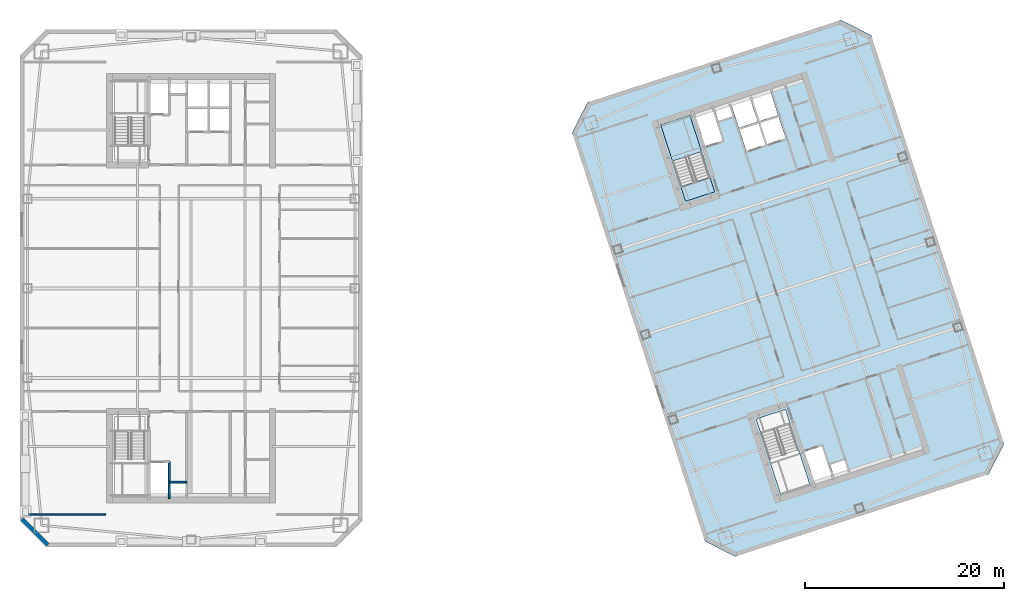
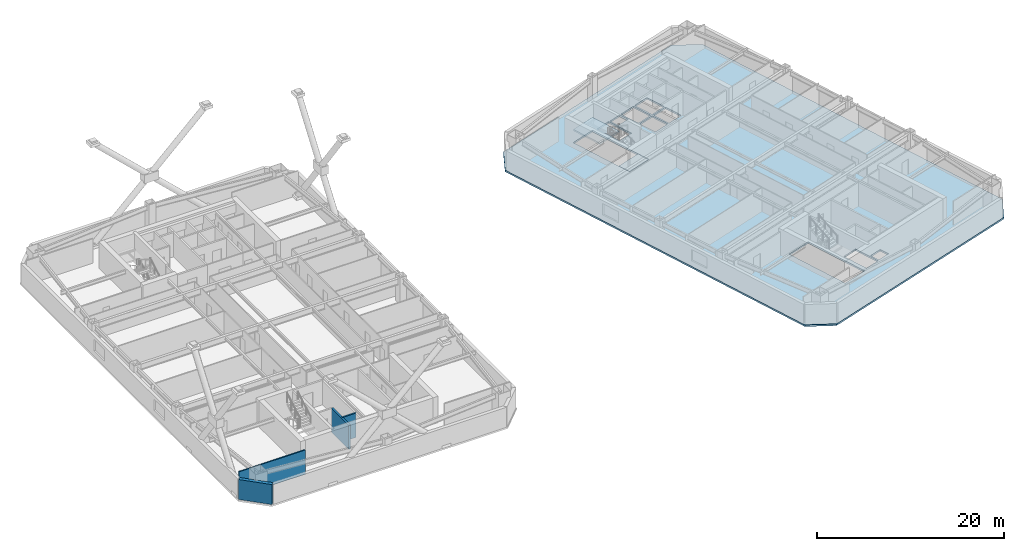
# One storey, part 5 of 14: 4 walls, 3 slabs, 1 element without a shape of its own.
"""IFC4 building model written with IfcOpenShell, lengths in metres."""

from ifc_helpers import new_model, si_unit, direction, frame, frame_2d, origin, place, context, subcontext, project, spatial, polyline, rectangle, outline, extrude, material, layer, layer_set, type_object, element, aggregate, save


model = new_model("IFC4")

# Units and contexts
model_context = context("Model", 3, precision=1e-05, world=origin(), true_north=direction((0.0, 1.0)))
body_context = subcontext(model_context, "Body", "Model", "MODEL_VIEW")
ifc_project = project(units=[si_unit("LENGTHUNIT", "METRE"), si_unit("AREAUNIT", "SQUARE_METRE"), si_unit("VOLUMEUNIT", "CUBIC_METRE"), si_unit("PLANEANGLEUNIT", "RADIAN"), si_unit("MASSUNIT", "GRAM", prefix="KILO")], contexts=[model_context])

# Site, building, storey
site_placement = place(None, origin())
site = spatial("IfcSite", under=ifc_project, at=site_placement, CompositionType="ELEMENT")
building_placement = place(site_placement, origin())
building = spatial("IfcBuilding", under=site, at=building_placement, Name="Qiaolan Cultural Towers", CompositionType="ELEMENT")
storey_placement = place(building_placement, frame((0.0, 0.0, 159.85009765625)))
storey = spatial("IfcBuildingStorey", under=building, at=storey_placement, Name="L42", CompositionType="ELEMENT", Elevation=159.85009765625)

# Stair, slab
ifc_material_1 = material(Name="Concrete C45", Category="concrete")
stair_type = type_object("IfcStairType", Name="STR-CORE-1500", PredefinedType="HALF_TURN_STAIR", material=ifc_material_1)
stair_placement = place(storey_placement, origin())
stair = element("IfcStair", 1, at=stair_placement, inside=storey, type_object=stair_type, Name="L42 Smokeproof Exit Stair ST-E2", PredefinedType="HALF_TURN_STAIR")
ifc_material_2 = material(Name="Concrete C45", Category="concrete")
ifc_layer_1 = layer(ifc_material_2, 0.199951171875)
ifc_layer_set_1 = layer_set([ifc_layer_1], Name="Concrete C45")
slab_type_1 = type_object("IfcSlabType", Name="SL-STAIR-LAND", PredefinedType="LANDING", material=ifc_layer_set_1)
slab_1_placement = place(storey_placement, frame((0.0, 0.0, 1.52490234375)))
slab_1 = element("IfcSlab", 2, at=slab_1_placement, type_object=slab_type_1, Name="ST-E2 landing 1", PredefinedType="LANDING", context=body_context, shape_type="SweptSolid", body=[
    extrude(outline(polyline([(81.31005859375, 47.735595703125), (80.1201171875, 51.3984375), (77.190673828125, 50.44677734375), (78.380859375, 46.783935546875), (81.31005859375, 47.735595703125)])), origin(), (0.0, 0.0, 1.0), 0.199951171875),
])
aggregate(stair, [slab_1])

# Slabs
ifc_material_3 = material(Name="Concrete C40", Category="concrete")
ifc_layer_2 = layer(ifc_material_3, 0.360107421875)
ifc_layer_set_2 = layer_set([ifc_layer_2], Name="Concrete C40")
slab_type_2 = type_object("IfcSlabType", Name="SL-STFLR-360", PredefinedType="LANDING", material=ifc_layer_set_2)
slab_2_placement = place(storey_placement, frame((0.0, 0.0, -0.360107421875)))
element("IfcSlab", 3, at=slab_2_placement, inside=storey, type_object=slab_type_2, Name="L42 ST-E2 Stair Floor Landing Slab", PredefinedType="LANDING", context=body_context, shape_type="SweptSolid", body=[
    extrude(outline(polyline([(82.62060546875, 43.6962890625), (82.141845703125, 45.169677734375), (79.21630859375, 44.21923828125), (79.695068359375, 42.74560546875), (82.62060546875, 43.6962890625)])), origin(), (0.0, 0.0, 1.0), 0.360107421875),
])
ifc_material_4 = material(Name="Concrete C45", Category="concrete")
ifc_layer_3 = layer(ifc_material_4, 0.219970703125)
ifc_layer_set_3 = layer_set([ifc_layer_3], Name="Concrete C45")
slab_type_3 = type_object("IfcSlabType", Name="SL-TYP-220", PredefinedType="FLOOR", material=ifc_layer_set_3)
slab_3_placement = place(storey_placement, frame((0.0, 0.0, -0.22021484375)))
element("IfcSlab", 4, at=slab_3_placement, inside=storey, type_object=slab_type_3, Name="L42 East Tower Floor Slab", PredefinedType="FLOOR", context=body_context, shape_type="SweptSolid", body=[
    extrude(outline(polyline([(84.67236328125, 7.033935546875), (110.16064453125, 15.3154296875), (111.701416015625, 18.339599609375), (98.351806640625, 59.42529296875), (95.32763671875, 60.966064453125), (69.83935546875, 52.6845703125), (68.298583984375, 49.660400390625), (81.648193359375, 8.57470703125), (84.67236328125, 7.033935546875)]), holes=[polyline([(86.80126953125, 20.868896484375), (89.30419921875, 13.165283203125), (92.2333984375, 14.116943359375), (89.73046875, 21.820556640625), (86.80126953125, 20.868896484375)]), polyline([(82.623046875, 43.69482421875), (80.1201171875, 51.3984375), (77.190673828125, 50.44677734375), (79.69384765625, 42.7431640625), (82.623046875, 43.69482421875)]), polyline([(92.666259765625, 14.468017578125), (94.42578125, 15.03955078125), (93.42138671875, 18.130615234375), (91.661865234375, 17.558837890625), (92.666259765625, 14.468017578125)]), polyline([(94.5908203125, 15.14599609375), (96.027099609375, 15.612548828125), (95.66552734375, 16.725341796875), (94.2294921875, 16.258544921875), (94.5908203125, 15.14599609375)]), polyline([(81.6806640625, 48.278076171875), (83.440185546875, 48.849609375), (82.435791015625, 51.940673828125), (80.67626953125, 51.368896484375), (81.6806640625, 48.278076171875)]), polyline([(82.993408203125, 50.839111328125), (84.4296875, 51.3056640625), (84.068115234375, 52.41845703125), (82.632080078125, 51.95166015625), (82.993408203125, 50.839111328125)]), polyline([(85.810302734375, 47.80078125), (87.71240234375, 48.418701171875), (87.013916015625, 50.568115234375), (85.11181640625, 49.9501953125), (85.810302734375, 47.80078125)]), polyline([(87.902587890625, 48.480712890625), (89.74755859375, 49.080078125), (89.04931640625, 51.2294921875), (87.2041015625, 50.6298828125), (87.902587890625, 48.480712890625)]), polyline([(85.05322265625, 50.130859375), (86.936279296875, 50.74267578125), (86.169921875, 53.101318359375), (84.286865234375, 52.489501953125), (85.05322265625, 50.130859375)]), polyline([(87.1455078125, 50.810791015625), (88.990478515625, 51.41015625), (88.22412109375, 53.768798828125), (86.379150390625, 53.169189453125), (87.1455078125, 50.810791015625)])]), origin(), (0.0, 0.0, 1.0), 0.22021484375),
])

# Walls
ifc_material_5 = material(Name="Precast Concrete C50 Honed Stone Pier", Category="masonry")
ifc_layer_4 = layer(ifc_material_5, 0.39990234375)
ifc_layer_set_4 = layer_set([ifc_layer_4], Name="Precast Concrete C50 Honed Stone Pier")
wall_type_1 = type_object("IfcWallType", Name="WL-EXT-PIER-400", PredefinedType="SOLIDWALL", material=ifc_layer_set_4)
wall_1_placement = place(storey_placement, frame((15.60009765625, 8.199951171875, 0.0), z_axis=(0.0, 0.0, 1.0), x_axis=(-0.707106781187, 0.707106781187, 0.0)))
element("IfcWall", 5, at=wall_1_placement, inside=storey, type_object=wall_type_1, Name="L42 West Tower Precast Pier Facade Wall F8", PredefinedType="SOLIDWALL", context=body_context, shape_type="SweptSolid", body=[
    extrude(rectangle(XDim=3.677001953125, YDim=0.39990234375, at=frame_2d((1.83837890625, 0.0))), origin(), (0.0, 0.0, 1.0), 2.60986328125),
])
ifc_material_6 = material(Name="Concrete C35 Fire Wall", Category="concrete")
ifc_layer_5 = layer(ifc_material_6, 0.199951171875)
ifc_layer_set_5 = layer_set([ifc_layer_5], Name="Concrete C35 Fire Wall")
wall_type_2 = type_object("IfcWallType", Name="WL-FIRE-200", PredefinedType="PARTITIONING", material=ifc_layer_set_5)
wall_2_placement = place(storey_placement, frame((27.820068359375, 16.550048828125, 0.0), z_axis=(0.0, 0.0, 1.0), x_axis=(0.0, -1.0, 0.0)))
element("IfcWall", 6, at=wall_2_placement, inside=storey, type_object=wall_type_2, Name="L42 T1-CS Firefighting Hoistway East Wall", PredefinedType="PARTITIONING", context=body_context, shape_type="SweptSolid", body=[
    extrude(rectangle(XDim=3.699951171875, YDim=0.199951171875, at=frame_2d((1.85009765625, 0.0))), origin(), (0.0, 0.0, 1.0), 3.1748046875),
])
wall_3_placement = place(storey_placement, frame((27.820068359375, 14.52001953125, 0.0), z_axis=(0.0, 0.0, 1.0), x_axis=(1.0, 0.0, 0.0)))
element("IfcWall", 7, at=wall_3_placement, inside=storey, type_object=wall_type_2, Name="L42 T1-CS Pressurization Shaft Front Wall", PredefinedType="PARTITIONING", context=body_context, shape_type="SweptSolid", body=[
    extrude(rectangle(XDim=1.72998046875, YDim=0.199951171875, at=frame_2d((0.864990234375, 0.0))), origin(), (0.0, 0.0, 1.0), 3.1748046875),
])
ifc_material_7 = material(Name="Autoclaved Aerated Concrete Block B06", Category="concrete")
ifc_layer_6 = layer(ifc_material_7, 0.14990234375)
ifc_layer_set_6 = layer_set([ifc_layer_6], Name="Autoclaved Aerated Concrete Block B06")
wall_type_3 = type_object("IfcWallType", Name="WL-PART-150", PredefinedType="PARTITIONING", material=ifc_layer_set_6)
wall_4_placement = place(storey_placement, frame((13.199951171875, 11.25, 0.0), z_axis=(0.0, 0.0, 1.0), x_axis=(1.0, 0.0, 0.0)))
element("IfcWall", 8, at=wall_4_placement, inside=storey, type_object=wall_type_3, Name="L42 T1 Flank Wall FLK-SW", PredefinedType="PARTITIONING", context=body_context, shape_type="SweptSolid", body=[
    extrude(rectangle(XDim=8.199951171875, YDim=0.14990234375, at=frame_2d((4.10009765625, 0.0))), origin(), (0.0, 0.0, 1.0), 3.1748046875),
])

save(model, "model.ifc")
